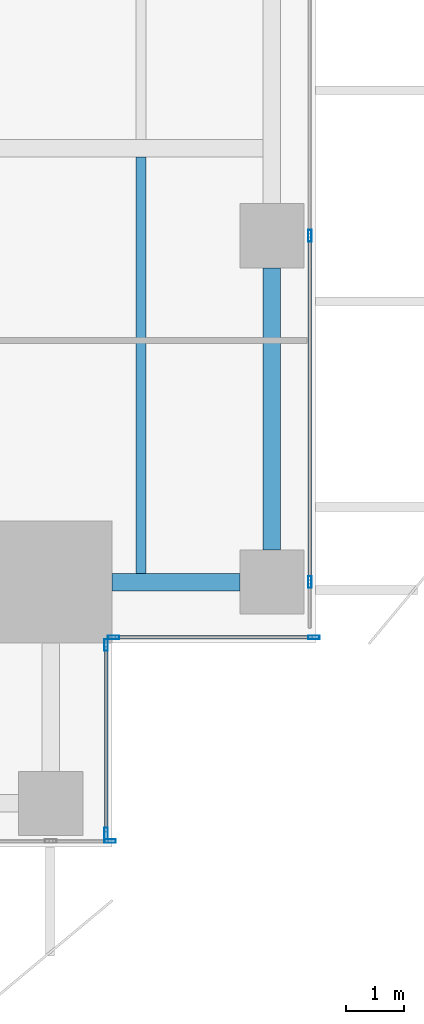
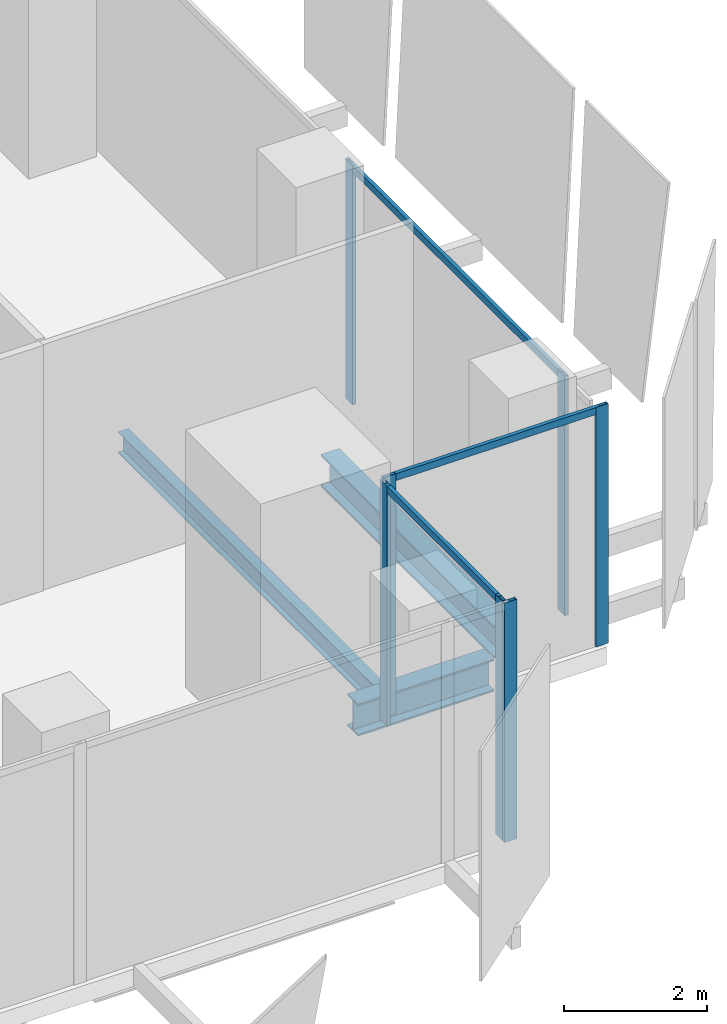
# One storey, part 11 of 34: 10 members, 3 beams, 4 elements without a shape of their own.
"""IFC4 building model written with IfcOpenShell, lengths in metres."""

from ifc_helpers import new_model, si_unit, direction, frame, origin, origin_2d, place, context, subcontext, project, spatial, hollow_rectangle, i_section, extrude, source, transform, mapped, material, material_profile, profile_set, type_object, element, aggregate, save


model = new_model("IFC4")

# Units and contexts
model_context = context("Model", 3, precision=1e-05, world=origin(), true_north=direction((0.0, 1.0)))
body_context = subcontext(model_context, "Body", "Model", "MODEL_VIEW")
ifc_project = project(units=[si_unit("LENGTHUNIT", "METRE"), si_unit("AREAUNIT", "SQUARE_METRE"), si_unit("VOLUMEUNIT", "CUBIC_METRE"), si_unit("PLANEANGLEUNIT", "RADIAN"), si_unit("MASSUNIT", "GRAM", prefix="KILO")], contexts=[model_context])

# Site, building, storey
site_placement = place(None, origin())
site = spatial("IfcSite", under=ifc_project, at=site_placement, CompositionType="ELEMENT")
building_placement = place(site_placement, origin())
building = spatial("IfcBuilding", under=site, at=building_placement, Name="Khomas Fold Tower", CompositionType="ELEMENT")
storey_placement = place(building_placement, frame((0.0, 0.0, 154.300048828125)))
storey = spatial("IfcBuildingStorey", under=building, at=storey_placement, Name="L33", CompositionType="ELEMENT", Elevation=154.300048828125)

# Beams
ifc_material_1 = material(Name="Steel S355", Category="steel")
ifc_material_profile_1 = material_profile(ifc_material_1, i_section(OverallWidth=0.169921875, OverallDepth=0.360107421875, WebThickness=0.008056640625, FlangeThickness=0.0126953125, at=origin_2d()), Name="IPE 360")
ifc_profile_set_1 = profile_set([ifc_material_profile_1], Name="Steel S355")
beam_type_1 = type_object("IfcBeamType", Name="IPE 360 beam JB2", PredefinedType="BEAM", material=ifc_profile_set_1)
shared_shape_1 = source(origin(), body_context, "Body", "SweptSolid", [
    extrude(i_section(OverallWidth=0.169921875, OverallDepth=0.360107421875, WebThickness=0.008056640625, FlangeThickness=0.0126953125, at=origin_2d()), origin(), (0.0, 0.0, 1.0), 7.150146484375),
])
beam_1_placement = place(storey_placement, frame((49.5, 6.199951171875, -0.47998046875), z_axis=(0.0, 1.0, 0.0), x_axis=(-1.0, 0.0, 0.0)))
element("IfcBeam", 1, at=beam_1_placement, inside=storey, type_object=beam_type_1, Name="JB2", PredefinedType="BEAM", context=body_context, shape_type="MappedRepresentation", body=[
    mapped(shared_shape_1, transform((0.0, 0.0, 0.0))),
])
ifc_material_2 = material(Name="Steel S355", Category="steel")
ifc_material_profile_2 = material_profile(ifc_material_2, i_section(OverallWidth=0.300048828125, OverallDepth=0.550048828125, WebThickness=0.014892578125, FlangeThickness=0.029052734375, at=origin_2d()), Name="HE 550 B")
ifc_profile_set_2 = profile_set([ifc_material_profile_2], Name="Steel S355")
beam_type_2 = type_object("IfcBeamType", Name="HE 550 B spandrel SB2", PredefinedType="SPANDREL", material=ifc_profile_set_2)
shared_shape_2 = source(origin(), body_context, "Body", "SweptSolid", [
    extrude(i_section(OverallWidth=0.300048828125, OverallDepth=0.550048828125, WebThickness=0.014892578125, FlangeThickness=0.029052734375, at=origin_2d()), origin(), (0.0, 0.0, 1.0), 4.849853515625),
])
beam_2_placement = place(storey_placement, frame((51.75, 6.60009765625, -0.574951171875), z_axis=(0.0, 1.0, 0.0), x_axis=(-1.0, 0.0, 0.0)))
element("IfcBeam", 2, at=beam_2_placement, inside=storey, type_object=beam_type_2, Name="SB2", PredefinedType="SPANDREL", context=body_context, shape_type="MappedRepresentation", body=[
    mapped(shared_shape_2, transform((0.0, 0.0, 0.0))),
])
shared_shape_3 = source(origin(), body_context, "Body", "SweptSolid", [
    extrude(i_section(OverallWidth=0.300048828125, OverallDepth=0.550048828125, WebThickness=0.014892578125, FlangeThickness=0.029052734375, at=origin_2d()), origin(), (0.0, 0.0, 1.0), 2.199951171875),
])
beam_3_placement = place(storey_placement, frame((49.0, 6.050048828125, -0.574951171875), z_axis=(1.0, 0.0, 0.0), x_axis=(0.0, 1.0, 0.0)))
element("IfcBeam", 3, at=beam_3_placement, inside=storey, type_object=beam_type_2, Name="SB2", PredefinedType="SPANDREL", context=body_context, shape_type="MappedRepresentation", body=[
    mapped(shared_shape_3, transform((0.0, 0.0, 0.0))),
])

# Curtain wall, member
ifc_material_3 = material(Name="Aluminium framed double glazing", Category="aluminium")
curtain_wall_type = type_object("IfcCurtainWallType", Name="SK-Unitised clear-glass wall, growing floors CW1", PredefinedType="NOTDEFINED", material=ifc_material_3)
curtain_wall_1_placement = place(storey_placement, origin())
curtain_wall_1 = element("IfcCurtainWall", 4, at=curtain_wall_1_placement, inside=storey, type_object=curtain_wall_type, Name="CW1 run L33 03-0", PredefinedType="NOTDEFINED")
ifc_material_4 = material(Name="Aluminium", Category="aluminium")
ifc_material_profile_3 = material_profile(ifc_material_4, hollow_rectangle(XDim=0.06005859375, YDim=0.1201171875, WallThickness=0.00390625, at=origin_2d()), Name="SK-Unitised clear-glass wall, growing floors transom CW1-T")
ifc_profile_set_3 = profile_set([ifc_material_profile_3], Name="Aluminium")
member_type_1 = type_object("IfcMemberType", Name="SK-Unitised clear-glass wall, growing floors transom CW1-T", PredefinedType="USERDEFINED", material=ifc_profile_set_3)
shared_shape_4 = source(origin(), body_context, "Body", "SweptSolid", [
    extrude(hollow_rectangle(XDim=0.06005859375, YDim=0.1201171875, WallThickness=0.00390625, at=origin_2d()), origin(), (0.0, 0.0, 1.0), 5.889892578125),
])
member_1_placement = place(storey_placement, frame((52.39990234375, 6.080078125, 4.0400390625), z_axis=(0.0, 1.0, 0.0), x_axis=(-1.0, 0.0, 0.0)))
member_1 = element("IfcMember", 5, at=member_1_placement, type_object=member_type_1, Name="CW1 transom 2", ObjectType="TRANSOM", PredefinedType="USERDEFINED", context=body_context, shape_type="MappedRepresentation", body=[
    mapped(shared_shape_4, transform((0.0, 0.0, 0.0))),
])

curtain_wall_2_placement = place(storey_placement, origin())
curtain_wall_2 = element("IfcCurtainWall", 6, at=curtain_wall_2_placement, inside=storey, type_object=curtain_wall_type, Name="CW1 corner return L33 01", PredefinedType="NOTDEFINED")
shared_shape_5 = source(origin(), body_context, "Body", "SweptSolid", [
    extrude(hollow_rectangle(XDim=0.06005859375, YDim=0.1201171875, WallThickness=0.00390625, at=origin_2d()), origin(), (0.0, 0.0, 1.0), 3.179931640625),
])
member_2_placement = place(storey_placement, frame((48.89990234375, 1.760009765625, 4.0400390625), z_axis=(0.0, 1.0, 0.0), x_axis=(-1.0, 0.0, 0.0)))
member_2 = element("IfcMember", 7, at=member_2_placement, type_object=member_type_1, Name="CW1 transom 1", ObjectType="TRANSOM", PredefinedType="USERDEFINED", context=body_context, shape_type="MappedRepresentation", body=[
    mapped(shared_shape_5, transform((0.0, 0.0, 0.0))),
])

curtain_wall_3_placement = place(storey_placement, origin())
curtain_wall_3 = element("IfcCurtainWall", 8, at=curtain_wall_3_placement, inside=storey, type_object=curtain_wall_type, Name="CW1 corner return L33 02", PredefinedType="NOTDEFINED")
shared_shape_6 = source(origin(), body_context, "Body", "SweptSolid", [
    extrude(hollow_rectangle(XDim=0.06005859375, YDim=0.1201171875, WallThickness=0.00390625, at=origin_2d()), origin(), (0.0, 0.0, 1.0), 3.3798828125),
])
member_3_placement = place(storey_placement, frame((49.06005859375, 5.10009765625, 4.0400390625), z_axis=(1.0, 0.0, 0.0), x_axis=(0.0, 1.0, 0.0)))
member_3 = element("IfcMember", 9, at=member_3_placement, type_object=member_type_1, Name="CW1 transom 1", ObjectType="TRANSOM", PredefinedType="USERDEFINED", context=body_context, shape_type="MappedRepresentation", body=[
    mapped(shared_shape_6, transform((0.0, 0.0, 0.0))),
])

curtain_wall_4_placement = place(storey_placement, origin())
curtain_wall_4 = element("IfcCurtainWall", 10, at=curtain_wall_4_placement, inside=storey, type_object=curtain_wall_type, Name="CW1 run L33 00-0", PredefinedType="NOTDEFINED")
ifc_material_5 = material(Name="Aluminium", Category="aluminium")
ifc_material_profile_4 = material_profile(ifc_material_5, hollow_rectangle(XDim=0.06005859375, YDim=0.199951171875, WallThickness=0.00390625, at=origin_2d()), Name="SK-Unitised clear-glass wall, growing floors mullion CW1-M")
ifc_profile_set_4 = profile_set([ifc_material_profile_4], Name="Aluminium")
member_type_2 = type_object("IfcMemberType", Name="SK-Unitised clear-glass wall, growing floors mullion CW1-M", PredefinedType="MULLION", material=ifc_profile_set_4)
shared_shape_7 = source(origin(), body_context, "Body", "SweptSolid", [
    extrude(hollow_rectangle(XDim=0.06005859375, YDim=0.199951171875, WallThickness=0.00390625, at=origin_2d()), origin(), (0.0, 0.0, 1.0), 4.099853515625),
])
member_4_placement = place(storey_placement, frame((48.969970703125, 1.60009765625, 0.0), z_axis=(0.0, 0.0, 1.0), x_axis=(0.0, 1.0, 0.0)))
member_4 = element("IfcMember", 11, at=member_4_placement, type_object=member_type_2, Name="CW1 mullion 9", PredefinedType="MULLION", context=body_context, shape_type="MappedRepresentation", body=[
    mapped(shared_shape_7, transform((0.0, 0.0, 0.0))),
])
aggregate(curtain_wall_4, [member_4])

# Member
member_5_placement = place(storey_placement, frame((48.89990234375, 1.72998046875, 0.0), z_axis=(0.0, 0.0, 1.0), x_axis=(-1.0, 0.0, 0.0)))
member_5 = element("IfcMember", 12, at=member_5_placement, type_object=member_type_2, Name="CW1 mullion 1", PredefinedType="MULLION", context=body_context, shape_type="MappedRepresentation", body=[
    mapped(shared_shape_7, transform((0.0, 0.0, 0.0))),
])

member_6_placement = place(storey_placement, frame((48.89990234375, 4.969970703125, 0.0), z_axis=(0.0, 0.0, 1.0), x_axis=(-1.0, 0.0, 0.0)))
member_6 = element("IfcMember", 13, at=member_6_placement, type_object=member_type_2, Name="CW1 mullion 2", PredefinedType="MULLION", context=body_context, shape_type="MappedRepresentation", body=[
    mapped(shared_shape_7, transform((0.0, 0.0, 0.0))),
])

aggregate(curtain_wall_2, [member_5, member_6, member_2])

member_7_placement = place(storey_placement, frame((49.030029296875, 5.10009765625, 0.0), z_axis=(0.0, 0.0, 1.0), x_axis=(0.0, 1.0, 0.0)))
member_7 = element("IfcMember", 14, at=member_7_placement, type_object=member_type_2, Name="CW1 mullion 1", PredefinedType="MULLION", context=body_context, shape_type="MappedRepresentation", body=[
    mapped(shared_shape_7, transform((0.0, 0.0, 0.0))),
])

member_8_placement = place(storey_placement, frame((52.469970703125, 5.10009765625, 0.0), z_axis=(0.0, 0.0, 1.0), x_axis=(0.0, 1.0, 0.0)))
member_8 = element("IfcMember", 15, at=member_8_placement, type_object=member_type_2, Name="CW1 mullion 2", PredefinedType="MULLION", context=body_context, shape_type="MappedRepresentation", body=[
    mapped(shared_shape_7, transform((0.0, 0.0, 0.0))),
])

aggregate(curtain_wall_3, [member_7, member_8, member_3])

member_9_placement = place(storey_placement, frame((52.39990234375, 6.050048828125, 0.0), z_axis=(0.0, 0.0, 1.0), x_axis=(-1.0, 0.0, 0.0)))
member_9 = element("IfcMember", 16, at=member_9_placement, type_object=member_type_2, Name="CW1 mullion 2", PredefinedType="MULLION", context=body_context, shape_type="MappedRepresentation", body=[
    mapped(shared_shape_7, transform((0.0, 0.0, 0.0))),
])

member_10_placement = place(storey_placement, frame((52.39990234375, 12.0, 0.0), z_axis=(0.0, 0.0, 1.0), x_axis=(-1.0, 0.0, 0.0)))
member_10 = element("IfcMember", 17, at=member_10_placement, type_object=member_type_2, Name="CW1 mullion 3", PredefinedType="MULLION", context=body_context, shape_type="MappedRepresentation", body=[
    mapped(shared_shape_7, transform((0.0, 0.0, 0.0))),
])

aggregate(curtain_wall_1, [member_9, member_10, member_1])

save(model, "model.ifc")
